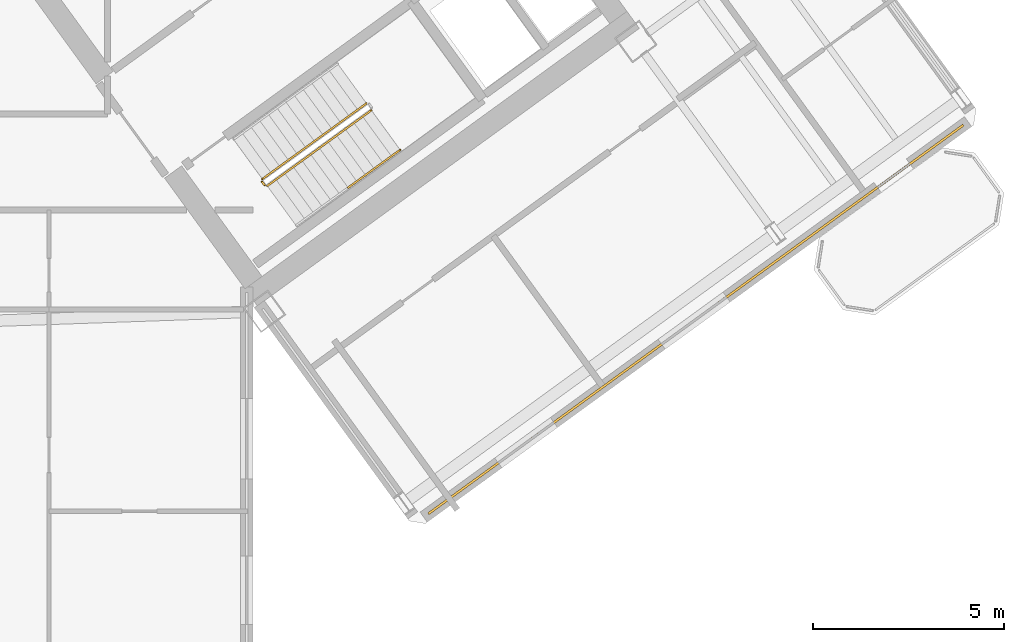
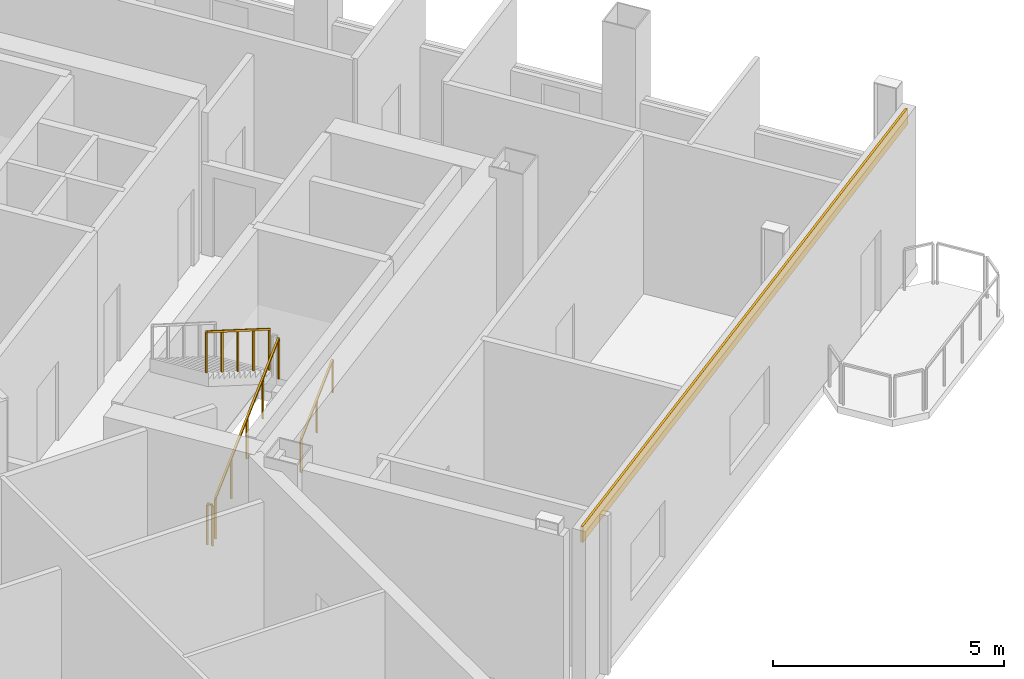
# One storey, part 32 of 34: 4 railings, 1 covering.
"""IFC4 building model written with IfcOpenShell, lengths in metres."""

from ifc_helpers import new_model, si_unit, direction, frame, origin, origin_2d, place, context, subcontext, project, spatial, rectangle, extrude, source, transform, mapped, material, layer, layer_set, type_object, element, save


model = new_model("IFC4")

# Units and contexts
model_context = context("Model", 3, precision=1e-05, world=origin(), true_north=direction((0.0, 1.0)))
body_context = subcontext(model_context, "Body", "Model", "MODEL_VIEW")
ifc_project = project(units=[si_unit("LENGTHUNIT", "METRE"), si_unit("AREAUNIT", "SQUARE_METRE"), si_unit("VOLUMEUNIT", "CUBIC_METRE"), si_unit("PLANEANGLEUNIT", "RADIAN"), si_unit("MASSUNIT", "GRAM", prefix="KILO")], contexts=[model_context])

# Site, building, storey
site_placement = place(None, origin())
site = spatial("IfcSite", under=ifc_project, at=site_placement, CompositionType="ELEMENT")
building_placement = place(site_placement, origin())
building = spatial("IfcBuilding", under=site, at=building_placement, Name="Tlacorven Tower", CompositionType="ELEMENT")
storey_placement = place(building_placement, frame((0.0, 0.0, 174.89990234375)))
storey = spatial("IfcBuildingStorey", under=building, at=storey_placement, Name="L44", CompositionType="ELEMENT", Elevation=174.89990234375)

# Covering
ifc_material_1 = material(Name="Precast concrete C45/55", Category="concrete")
ifc_layer = layer(ifc_material_1, 0.06005859375)
ifc_layer_set = layer_set([ifc_layer], Name="Precast concrete C45/55")
covering_type = type_object("IfcCoveringType", Name="CV-CLD-TERC", PredefinedType="CLADDING", material=ifc_layer_set)
shared_shape_1 = source(origin(), body_context, "Body", "SweptSolid", [
    extrude(rectangle(XDim=17.287353515625, YDim=0.06005859375, at=origin_2d()), origin(), (0.0, 0.0, 1.0), 0.419921875),
])
covering_placement = place(storey_placement, frame((63.9833984375, 12.562255859375, 3.800048828125), z_axis=(0.0, 0.0, 1.0), x_axis=(-0.809017097486, -0.587785110372, 0.0)))
element("IfcCovering", 1, at=covering_placement, inside=storey, type_object=covering_type, Name="L44 Masonry-Frame Spandrel Cladding 6", PredefinedType="CLADDING", context=body_context, shape_type="MappedRepresentation", body=[
    mapped(shared_shape_1, transform((0.0, 0.0, 0.0), scale=1.0)),
])

# Railings
ifc_material_2 = material(Name="Aluminium and painted steel balustrade", Category="steel")
railing_type_1 = type_object("IfcRailingType", Name="RL-GRD-1100", PredefinedType="GUARDRAIL", material=ifc_material_2)
shared_shape_2 = source(origin(), body_context, "Body", "SweptSolid", [
    extrude(rectangle(XDim=0.048095703125, YDim=0.048095703125, at=origin_2d()), frame((0.0, 0.0, 1.076171875), z_axis=(-0.587567097037, 0.809175448515, 0.0), x_axis=(-0.809175448515, -0.587567097037, 0.0)), (0.0, 0.0, 1.0), 0.1201171875),
    extrude(rectangle(XDim=0.0419921875, YDim=0.0419921875, at=origin_2d()), origin(), (0.0, 0.0, 1.0), 1.052001953125),
    extrude(rectangle(XDim=0.0419921875, YDim=0.0419921875, at=origin_2d()), frame((-0.070556640625, 0.09716796875, 0.0)), (0.0, 0.0, 1.0), 1.052001953125),
])
railing_1_placement = place(storey_placement, frame((52.71142578125, 16.065673828125, 0.0)))
element("IfcRailing", 2, at=railing_1_placement, inside=storey, type_object=railing_type_1, Name="L44 ST-E2 stair guard 4", PredefinedType="GUARDRAIL", context=body_context, shape_type="MappedRepresentation", body=[
    mapped(shared_shape_2, transform((0.0, 0.0, 0.0), scale=1.0)),
])
shared_shape_3 = source(origin(), body_context, "Body", "SweptSolid", [
    extrude(rectangle(XDim=0.048095703125, YDim=0.048095703125, at=origin_2d()), frame((0.0, 0.0, 1.076171875), z_axis=(0.688166980386, 0.499962520599, 0.525798141023), x_axis=(-0.587769819143, 0.809028206989, 0.0)), (0.0, 0.0, 1.0), 3.949951171875),
    extrude(rectangle(XDim=0.0419921875, YDim=0.0419921875, at=origin_2d()), origin(), (0.0, 0.0, 1.0), 1.052001953125),
    extrude(rectangle(XDim=0.0419921875, YDim=0.0419921875, at=origin_2d()), frame((0.6796875, 0.49365234375, 0.519287109375)), (0.0, 0.0, 1.0), 1.052001953125),
    extrude(rectangle(XDim=0.0419921875, YDim=0.0419921875, at=origin_2d()), frame((1.359130859375, 0.9873046875, 1.03857421875)), (0.0, 0.0, 1.0), 1.052001953125),
    extrude(rectangle(XDim=0.0419921875, YDim=0.0419921875, at=origin_2d()), frame((2.03857421875, 1.481201171875, 1.5576171875)), (0.0, 0.0, 1.0), 1.052001953125),
    extrude(rectangle(XDim=0.0419921875, YDim=0.0419921875, at=origin_2d()), frame((2.71826171875, 1.974853515625, 2.076904296875)), (0.0, 0.0, 1.0), 1.052001953125),
])
railing_2_placement = place(storey_placement, frame((52.78125, 16.0546875, 0.173095703125)))
element("IfcRailing", 3, at=railing_2_placement, inside=storey, type_object=railing_type_1, Name="L44 ST-E2 stair guard 1", PredefinedType="GUARDRAIL", context=body_context, shape_type="MappedRepresentation", body=[
    mapped(shared_shape_3, transform((0.0, 0.0, 0.0), scale=1.0)),
])
shared_shape_4 = source(origin(), body_context, "Body", "SweptSolid", [
    extrude(rectangle(XDim=0.048095703125, YDim=0.048095703125, at=origin_2d()), frame((0.0, 0.0, 1.076171875), z_axis=(-0.688166980386, -0.499962520599, 0.525798141023), x_axis=(0.587769819143, -0.809028206989, 0.0)), (0.0, 0.0, 1.0), 3.949951171875),
    extrude(rectangle(XDim=0.0419921875, YDim=0.0419921875, at=origin_2d()), origin(), (0.0, 0.0, 1.0), 1.052001953125),
    extrude(rectangle(XDim=0.0419921875, YDim=0.0419921875, at=origin_2d()), frame((-0.6796875, -0.49365234375, 0.519287109375)), (0.0, 0.0, 1.0), 1.052001953125),
    extrude(rectangle(XDim=0.0419921875, YDim=0.0419921875, at=origin_2d()), frame((-1.359130859375, -0.9873046875, 1.03857421875)), (0.0, 0.0, 1.0), 1.052001953125),
    extrude(rectangle(XDim=0.0419921875, YDim=0.0419921875, at=origin_2d()), frame((-2.03857421875, -1.481201171875, 1.5576171875)), (0.0, 0.0, 1.0), 1.052001953125),
    extrude(rectangle(XDim=0.0419921875, YDim=0.0419921875, at=origin_2d()), frame((-2.71826171875, -1.974853515625, 2.076904296875)), (0.0, 0.0, 1.0), 1.052001953125),
])
railing_3_placement = place(storey_placement, frame((55.3701171875, 18.20751953125, 2.423095703125)))
element("IfcRailing", 4, at=railing_3_placement, inside=storey, type_object=railing_type_1, Name="L44 ST-E2 stair guard 3", PredefinedType="GUARDRAIL", context=body_context, shape_type="MappedRepresentation", body=[
    mapped(shared_shape_4, transform((0.0, 0.0, 0.0), scale=1.0)),
])
railing_type_2 = type_object("IfcRailingType", Name="RL-HND-0900", PredefinedType="HANDRAIL", material=ifc_material_2)
shared_shape_5 = source(origin(), body_context, "Body", "SweptSolid", [
    extrude(rectangle(XDim=0.048095703125, YDim=0.048095703125, at=origin_2d()), frame((0.0, 0.0, 0.8759765625), z_axis=(0.688168076653, 0.500025124854, 0.525737170829), x_axis=(-0.587817375869, 0.808993654256, 0.0)), (0.0, 0.0, 1.0), 1.97509765625),
    extrude(rectangle(XDim=0.0419921875, YDim=0.0419921875, at=origin_2d()), origin(), (0.0, 0.0, 1.0), 0.851806640625),
    extrude(rectangle(XDim=0.0419921875, YDim=0.0419921875, at=origin_2d()), frame((0.6796875, 0.49365234375, 0.51904296875)), (0.0, 0.0, 1.0), 0.851806640625),
    extrude(rectangle(XDim=0.0419921875, YDim=0.0419921875, at=origin_2d()), frame((1.359130859375, 0.987548828125, 1.038330078125)), (0.0, 0.0, 1.0), 0.851806640625),
])
railing_4_placement = place(storey_placement, frame((54.892822265625, 16.006591796875, 1.211669921875)))
element("IfcRailing", 5, at=railing_4_placement, inside=storey, type_object=railing_type_2, Name="L44 ST-E2 stair handrail 2", PredefinedType="HANDRAIL", context=body_context, shape_type="MappedRepresentation", body=[
    mapped(shared_shape_5, transform((0.0, 0.0, 0.0), scale=1.0)),
])

save(model, "model.ifc")
